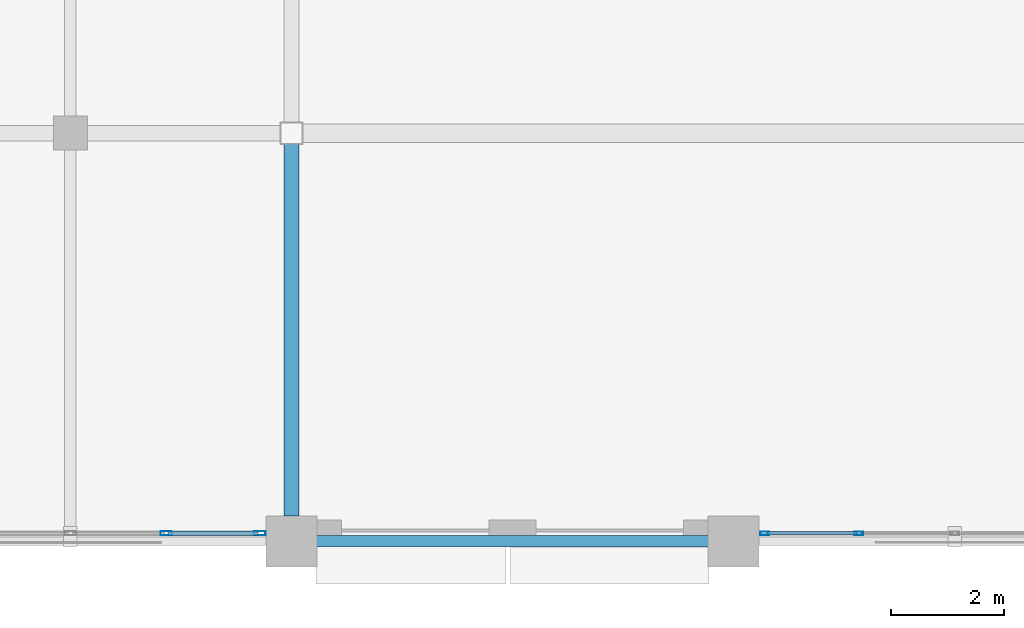
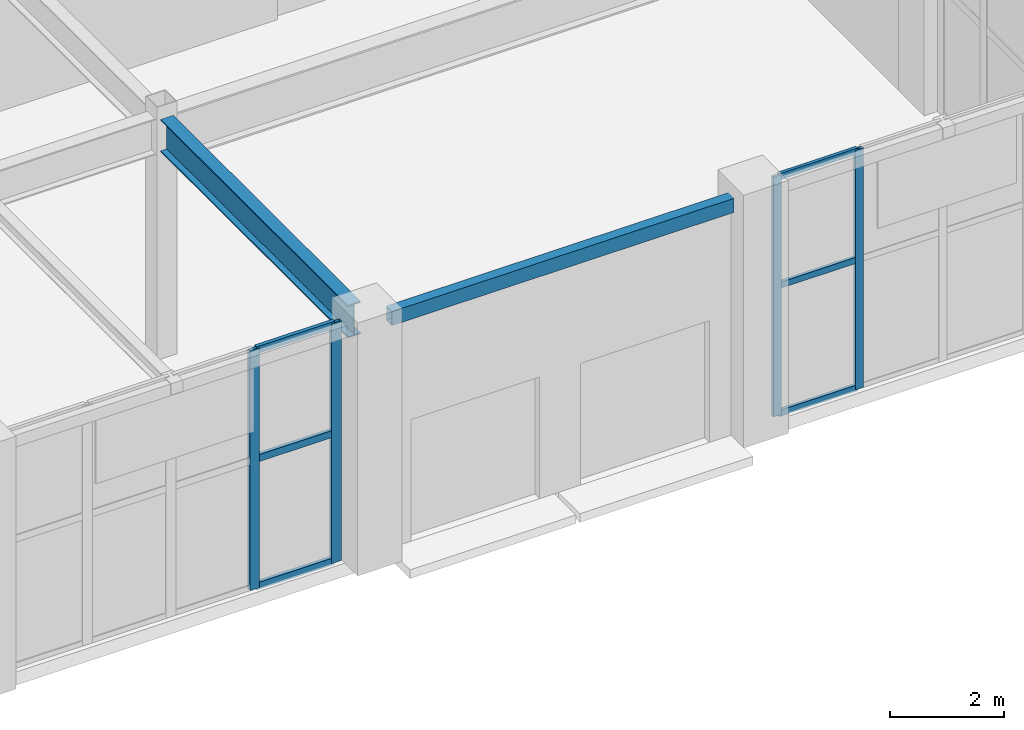
# One storey, part 78 of 139: 10 members, 2 beams, 2 elements without a shape of their own.
"""IFC4 building model written with IfcOpenShell, lengths in metres."""

from ifc_helpers import new_model, si_unit, direction, frame, origin, origin_2d, place, context, subcontext, project, spatial, hollow_rectangle, i_section, extrude, material, layer, layer_set, material_profile, profile_set, type_object, element, aggregate, save


model = new_model("IFC4")

# Units and contexts
model_context = context("Model", 3, precision=1e-05, world=origin(), true_north=direction((0.0, 1.0)))
body_context = subcontext(model_context, "Body", "Model", "MODEL_VIEW")
ifc_project = project(units=[si_unit("LENGTHUNIT", "METRE"), si_unit("AREAUNIT", "SQUARE_METRE"), si_unit("VOLUMEUNIT", "CUBIC_METRE"), si_unit("PLANEANGLEUNIT", "RADIAN"), si_unit("MASSUNIT", "GRAM", prefix="KILO")], contexts=[model_context])

# Site, building, storey
site_placement = place(None, origin())
site = spatial("IfcSite", under=ifc_project, at=site_placement, CompositionType="ELEMENT")
building_placement = place(site_placement, origin())
building = spatial("IfcBuilding", under=site, at=building_placement, Name="Xicomal Pleat Aquarium", CompositionType="ELEMENT")
storey_placement = place(building_placement, origin())
storey = spatial("IfcBuildingStorey", under=building, at=storey_placement, Name="L01", CompositionType="ELEMENT", Elevation=0.0)

# Beams
ifc_material_1 = material(Name="Structural steel A992 Gr 50", Category="steel")
ifc_material_profile_1 = material_profile(ifc_material_1, i_section(OverallWidth=0.256103515625, OverallDepth=0.693115234375, WebThickness=0.014404296875, FlangeThickness=0.023681640625, at=origin_2d()), Name="IR 690x170")
ifc_profile_set_1 = profile_set([ifc_material_profile_1], Name="Structural steel A992 Gr 50")
beam_type_1 = type_object("IfcBeamType", Name="BM-STL-IR690", PredefinedType="BEAM", material=ifc_profile_set_1)
beam_1_placement = place(storey_placement, frame((149.39990234375, 1.2451171875, 4.7734375), z_axis=(0.0, 1.0, 0.0), x_axis=(-1.0, 0.0, 0.0)))
element("IfcBeam", 1, at=beam_1_placement, inside=storey, type_object=beam_type_1, Name="L01 framing beam FGY-L01-19-A-B", PredefinedType="BEAM", context=body_context, shape_type="SweptSolid", body=[
    extrude(i_section(OverallWidth=0.256103515625, OverallDepth=0.693115234375, WebThickness=0.014404296875, FlangeThickness=0.023681640625, at=origin_2d()), origin(), (0.0, 0.0, 1.0), 6.559814453125),
])
ifc_material_2 = material(Name="Structural steel A500 Gr C", Category="steel")
ifc_material_profile_2 = material_profile(ifc_material_2, hollow_rectangle(XDim=0.199951171875, YDim=0.300048828125, WallThickness=0.011962890625, at=origin_2d()), Name="OR 300x200x12")
ifc_profile_set_2 = profile_set([ifc_material_profile_2], Name="Structural steel A500 Gr C")
beam_type_2 = type_object("IfcBeamType", Name="BM-STL-OR300", PredefinedType="SPANDREL", material=ifc_profile_set_2)
beam_2_placement = place(storey_placement, frame((149.844970703125, 0.800048828125, 4.969970703125), z_axis=(1.0, 0.0, 0.0), x_axis=(0.0, 1.0, 0.0)))
element("IfcBeam", 2, at=beam_2_placement, inside=storey, type_object=beam_type_2, Name="L01 framing beam FGX-L01-19-20-A", PredefinedType="SPANDREL", context=body_context, shape_type="SweptSolid", body=[
    extrude(hollow_rectangle(XDim=0.199951171875, YDim=0.300048828125, WallThickness=0.011962890625, at=origin_2d()), origin(), (0.0, 0.0, 1.0), 6.909912109375),
])

# Curtain wall, members
ifc_material_3 = material(Name="Bronze anodized aluminium 6063-T6", Category="aluminium")
ifc_layer_1 = layer(ifc_material_3, 0.159912109375)
ifc_layer_set_1 = layer_set([ifc_layer_1], Name="Bronze anodized aluminium 6063-T6")
curtain_wall_type_1 = type_object("IfcCurtainWallType", Name="CW-SYS-01", PredefinedType="NOTDEFINED", material=ifc_layer_set_1)
curtain_wall_1_placement = place(storey_placement, origin())
curtain_wall_1 = element("IfcCurtainWall", 3, at=curtain_wall_1_placement, inside=storey, type_object=curtain_wall_type_1, Name="L01 unitised curtain wall CW-L01-060", PredefinedType="NOTDEFINED")
ifc_material_4 = material(Name="Bronze anodized aluminium 6063-T6", Category="aluminium")
ifc_material_profile_3 = material_profile(ifc_material_4, hollow_rectangle(XDim=0.06494140625, YDim=0.159912109375, WallThickness=0.00390625, at=origin_2d()), Name="ALU MULL 65x160")
ifc_profile_set_3 = profile_set([ifc_material_profile_3], Name="Bronze anodized aluminium 6063-T6")
member_type_1 = type_object("IfcMemberType", Name="CWM-65x160", PredefinedType="MULLION", material=ifc_profile_set_3)
member_1_placement = place(storey_placement, frame((159.409912109375, 0.93994140625, 0.0), z_axis=(0.0, 0.0, 1.0), x_axis=(0.0, -1.0, 0.0)))
member_1 = element("IfcMember", 4, at=member_1_placement, type_object=member_type_1, Name="CW-01 mullion 4", PredefinedType="MULLION", context=body_context, shape_type="SweptSolid", body=[
    extrude(hollow_rectangle(XDim=0.06494140625, YDim=0.159912109375, WallThickness=0.00390625, at=origin_2d()), origin(), (0.0, 0.0, 1.0), 5.1201171875),
])
member_2_placement = place(storey_placement, frame((157.75244140625, 0.93994140625, 0.0), z_axis=(0.0, 0.0, 1.0), x_axis=(0.0, -1.0, 0.0)))
member_2 = element("IfcMember", 5, at=member_2_placement, type_object=member_type_1, Name="CW-01 mullion 5", PredefinedType="MULLION", context=body_context, shape_type="SweptSolid", body=[
    extrude(hollow_rectangle(XDim=0.06494140625, YDim=0.159912109375, WallThickness=0.00390625, at=origin_2d()), origin(), (0.0, 0.0, 1.0), 5.1201171875),
])

ifc_material_5 = material(Name="Bronze anodized aluminium 6063-T6", Category="aluminium")
ifc_layer_2 = layer(ifc_material_5, 0.159912109375)
ifc_layer_set_2 = layer_set([ifc_layer_2], Name="Bronze anodized aluminium 6063-T6")
curtain_wall_type_2 = type_object("IfcCurtainWallType", Name="CW-SYS-06", PredefinedType="NOTDEFINED", material=ifc_layer_set_2)
curtain_wall_2_placement = place(storey_placement, origin())
curtain_wall_2 = element("IfcCurtainWall", 6, at=curtain_wall_2_placement, inside=storey, type_object=curtain_wall_type_2, Name="L01 unitised curtain wall CW-L01-061", PredefinedType="NOTDEFINED")
ifc_material_6 = material(Name="Bronze anodized aluminium 6063-T6", Category="aluminium")
ifc_material_profile_4 = material_profile(ifc_material_6, hollow_rectangle(XDim=0.074951171875, YDim=0.199951171875, WallThickness=0.00439453125, at=origin_2d()), Name="ALU MULL 75x200")
ifc_profile_set_4 = profile_set([ifc_material_profile_4], Name="Bronze anodized aluminium 6063-T6")
member_type_2 = type_object("IfcMemberType", Name="CWM-75x200", PredefinedType="MULLION", material=ifc_profile_set_4)
member_3_placement = place(storey_placement, frame((148.842529296875, 0.93994140625, 0.0), z_axis=(0.0, 0.0, 1.0), x_axis=(0.0, -1.0, 0.0)))
member_3 = element("IfcMember", 7, at=member_3_placement, type_object=member_type_2, Name="CW-06 mullion 1", PredefinedType="MULLION", context=body_context, shape_type="SweptSolid", body=[
    extrude(hollow_rectangle(XDim=0.074951171875, YDim=0.199951171875, WallThickness=0.00439453125, at=origin_2d()), origin(), (0.0, 0.0, 1.0), 5.1201171875),
])
member_4_placement = place(storey_placement, frame((147.18994140625, 0.93994140625, 0.0), z_axis=(0.0, 0.0, 1.0), x_axis=(0.0, -1.0, 0.0)))
member_4 = element("IfcMember", 8, at=member_4_placement, type_object=member_type_2, Name="CW-06 mullion 2", PredefinedType="MULLION", context=body_context, shape_type="SweptSolid", body=[
    extrude(hollow_rectangle(XDim=0.074951171875, YDim=0.199951171875, WallThickness=0.00439453125, at=origin_2d()), origin(), (0.0, 0.0, 1.0), 5.1201171875),
])

# Member
ifc_material_7 = material(Name="Bronze anodized aluminium 6063-T6", Category="aluminium")
ifc_material_profile_5 = material_profile(ifc_material_7, hollow_rectangle(XDim=0.06494140625, YDim=0.1298828125, WallThickness=0.00390625, at=origin_2d()), Name="ALU TRAN 65x130")
ifc_profile_set_5 = profile_set([ifc_material_profile_5], Name="Bronze anodized aluminium 6063-T6")
member_type_3 = type_object("IfcMemberType", Name="CWT-65x130", PredefinedType="USERDEFINED", material=ifc_profile_set_5)
member_5_placement = place(storey_placement, frame((159.37744140625, 0.93994140625, 0.032470703125), z_axis=(-1.0, 0.0, 0.0), x_axis=(0.0, -1.0, 0.0)))
member_5 = element("IfcMember", 9, at=member_5_placement, type_object=member_type_3, Name="CW-01 transom 4.1", ObjectType="TRANSOM", PredefinedType="USERDEFINED", context=body_context, shape_type="SweptSolid", body=[
    extrude(hollow_rectangle(XDim=0.06494140625, YDim=0.1298828125, WallThickness=0.00390625, at=origin_2d()), origin(), (0.0, 0.0, 1.0), 1.592529296875),
])

member_6_placement = place(storey_placement, frame((159.37744140625, 0.93994140625, 2.764892578125), z_axis=(-1.0, 0.0, 0.0), x_axis=(0.0, -1.0, 0.0)))
member_6 = element("IfcMember", 10, at=member_6_placement, type_object=member_type_3, Name="CW-01 transom 4.2", ObjectType="TRANSOM", PredefinedType="USERDEFINED", context=body_context, shape_type="SweptSolid", body=[
    extrude(hollow_rectangle(XDim=0.06494140625, YDim=0.1298828125, WallThickness=0.00390625, at=origin_2d()), origin(), (0.0, 0.0, 1.0), 1.592529296875),
])

member_7_placement = place(storey_placement, frame((159.37744140625, 0.93994140625, 5.08740234375), z_axis=(-1.0, 0.0, 0.0), x_axis=(0.0, -1.0, 0.0)))
member_7 = element("IfcMember", 11, at=member_7_placement, type_object=member_type_3, Name="CW-01 transom 4.3", ObjectType="TRANSOM", PredefinedType="USERDEFINED", context=body_context, shape_type="SweptSolid", body=[
    extrude(hollow_rectangle(XDim=0.06494140625, YDim=0.1298828125, WallThickness=0.00390625, at=origin_2d()), origin(), (0.0, 0.0, 1.0), 1.592529296875),
])

aggregate(curtain_wall_1, [member_1, member_2, member_5, member_6, member_7])

ifc_material_8 = material(Name="Bronze anodized aluminium 6063-T6", Category="aluminium")
ifc_material_profile_6 = material_profile(ifc_material_8, hollow_rectangle(XDim=0.074951171875, YDim=0.14990234375, WallThickness=0.00439453125, at=origin_2d()), Name="ALU TRAN 75x150")
ifc_profile_set_6 = profile_set([ifc_material_profile_6], Name="Bronze anodized aluminium 6063-T6")
member_type_4 = type_object("IfcMemberType", Name="CWT-75x150", PredefinedType="USERDEFINED", material=ifc_profile_set_6)
member_8_placement = place(storey_placement, frame((148.804931640625, 0.93994140625, 0.03759765625), z_axis=(-1.0, 0.0, 0.0), x_axis=(0.0, -1.0, 0.0)))
member_8 = element("IfcMember", 12, at=member_8_placement, type_object=member_type_4, Name="CW-06 transom 1.1", ObjectType="TRANSOM", PredefinedType="USERDEFINED", context=body_context, shape_type="SweptSolid", body=[
    extrude(hollow_rectangle(XDim=0.074951171875, YDim=0.14990234375, WallThickness=0.00439453125, at=origin_2d()), origin(), (0.0, 0.0, 1.0), 1.577392578125),
])

member_9_placement = place(storey_placement, frame((148.804931640625, 0.93994140625, 2.764892578125), z_axis=(-1.0, 0.0, 0.0), x_axis=(0.0, -1.0, 0.0)))
member_9 = element("IfcMember", 13, at=member_9_placement, type_object=member_type_4, Name="CW-06 transom 1.2", ObjectType="TRANSOM", PredefinedType="USERDEFINED", context=body_context, shape_type="SweptSolid", body=[
    extrude(hollow_rectangle(XDim=0.074951171875, YDim=0.14990234375, WallThickness=0.00439453125, at=origin_2d()), origin(), (0.0, 0.0, 1.0), 1.577392578125),
])

member_10_placement = place(storey_placement, frame((148.804931640625, 0.93994140625, 5.08251953125), z_axis=(-1.0, 0.0, 0.0), x_axis=(0.0, -1.0, 0.0)))
member_10 = element("IfcMember", 14, at=member_10_placement, type_object=member_type_4, Name="CW-06 transom 1.3", ObjectType="TRANSOM", PredefinedType="USERDEFINED", context=body_context, shape_type="SweptSolid", body=[
    extrude(hollow_rectangle(XDim=0.074951171875, YDim=0.14990234375, WallThickness=0.00439453125, at=origin_2d()), origin(), (0.0, 0.0, 1.0), 1.577392578125),
])

aggregate(curtain_wall_2, [member_3, member_4, member_8, member_9, member_10])

save(model, "model.ifc")
